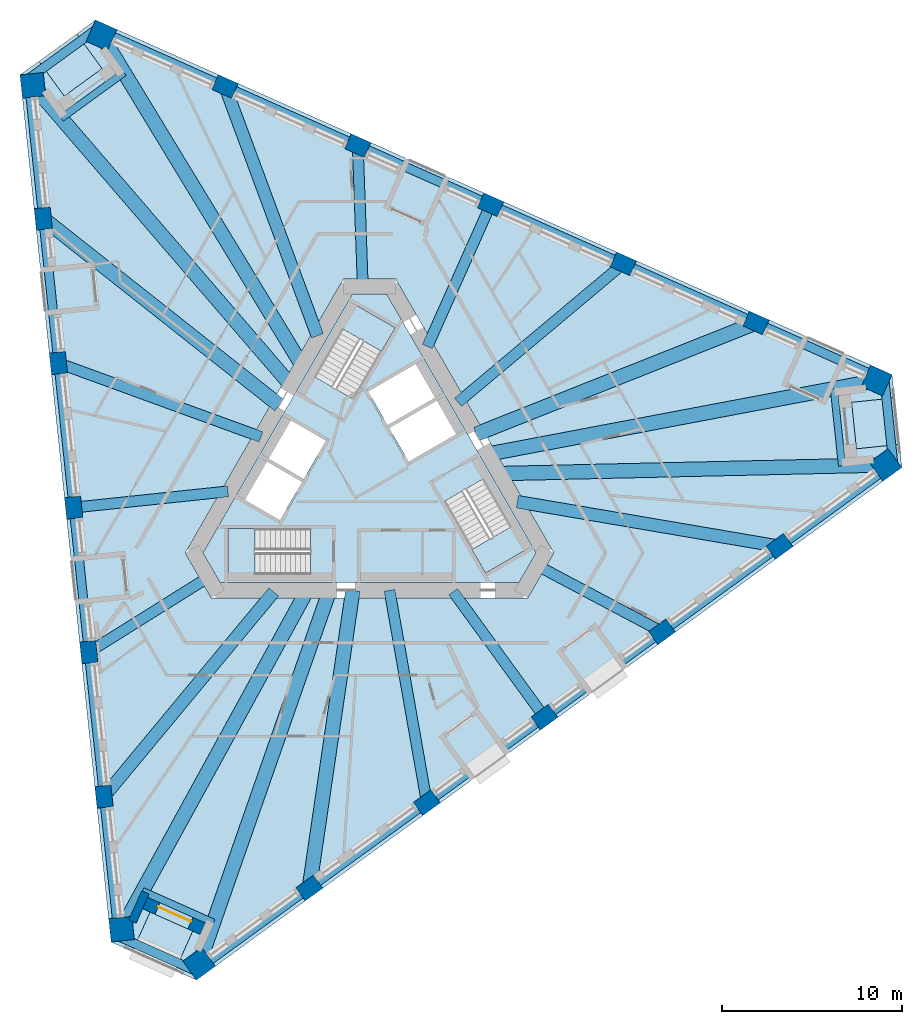
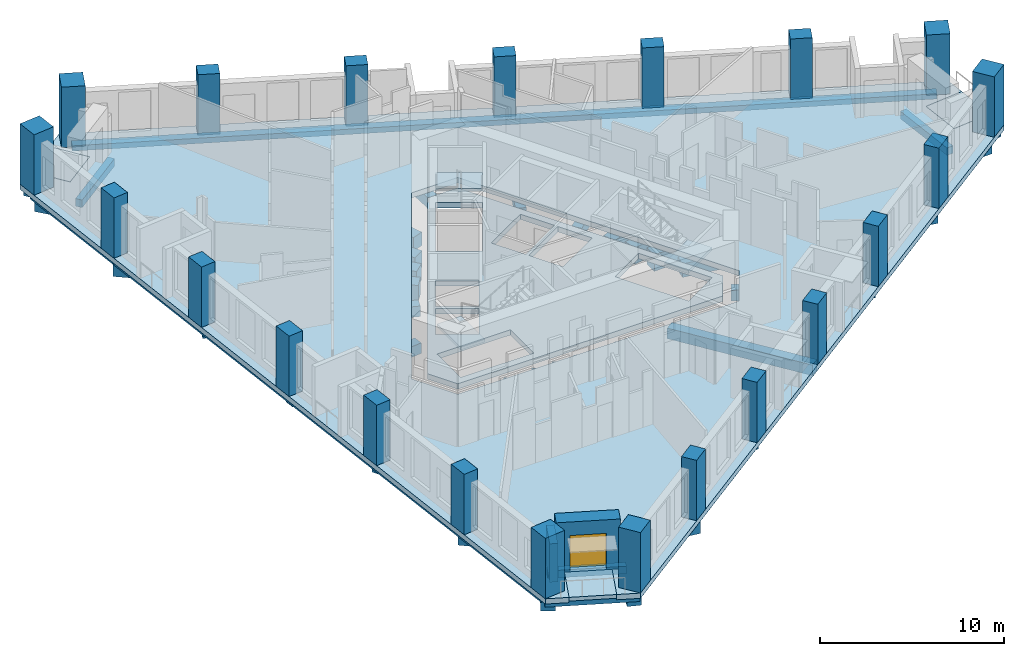
# One storey, part 1 of 14: 30 beams, 21 columns, 8 slabs, 2 walls, 1 door, 1 opening, 3 elements without a shape of their own.
"""IFC4 building model written with IfcOpenShell, lengths in metres."""

from ifc_helpers import new_model, si_unit, direction, frame, frame_2d, origin, origin_2d, place, context, subcontext, project, spatial, polyline, rectangle, outline, extrude, material, layer, layer_set, material_profile, profile_set, type_object, element, fill, aggregate, save


model = new_model("IFC4")

# Units and contexts
model_context = context("Model", 3, precision=1e-05, world=origin(), true_north=direction((0.0, 1.0)))
body_context = subcontext(model_context, "Body", "Model", "MODEL_VIEW")
ifc_project = project(units=[si_unit("LENGTHUNIT", "METRE"), si_unit("AREAUNIT", "SQUARE_METRE"), si_unit("VOLUMEUNIT", "CUBIC_METRE"), si_unit("PLANEANGLEUNIT", "RADIAN"), si_unit("MASSUNIT", "GRAM", prefix="KILO")], contexts=[model_context])

# Site, building, storey
site_placement = place(None, origin())
site = spatial("IfcSite", under=ifc_project, at=site_placement, CompositionType="ELEMENT")
building_placement = place(site_placement, origin())
building = spatial("IfcBuilding", under=site, at=building_placement, Name="Tramontana Tower", CompositionType="ELEMENT")
storey_placement = place(building_placement, frame((0.0, 0.0, 182.800048828125)))
storey = spatial("IfcBuildingStorey", under=building, at=storey_placement, Name="L42", CompositionType="ELEMENT", Elevation=182.800048828125)

# Columns
ifc_material_1 = material(Name="Concrete 55 MPa", Category="concrete")
ifc_material_profile_1 = material_profile(ifc_material_1, rectangle(XDim=1.300048828125, YDim=1.300048828125, at=origin_2d()), Name="Mega column 1300X1300 55 MPa")
ifc_profile_set_1 = profile_set([ifc_material_profile_1], Name="Concrete 55 MPa")
column_type_1 = type_object("IfcColumnType", Name="Mega column 1300X1300 55 MPa", PredefinedType="COLUMN", material=ifc_profile_set_1)
for number, where, z_axis, x_axis, name in (
    (1, (-18.72705078125, 21.760498046875, 0.0), (0.0, 0.0, 1.0), (0.104528463268, -0.994521895368, 0.0), "Mega column C4K1 L42"),
    (2, (-13.793701171875, -25.178466796875, 0.0), (0.0, 0.0, 1.0), (0.104528463268, -0.994521895368, 0.0), "Mega column C4K2 L42"),
    (3, (-9.4814453125, -27.098388671875, 0.0), (0.0, 0.0, 1.0), (0.809016994375, 0.587785252292, 0.0), "Mega column C4K3 L42"),
    (4, (28.7021484375, 0.6435546875, 0.0), (0.0, 0.0, 1.0), (0.809016994375, 0.587785252292, 0.0), "Mega column C4K4 L42"),
    (5, (28.208740234375, 5.337890625, 0.0), (0.0, 0.0, 1.0), (-0.913545457643, 0.406736643076, 0.0), "Mega column C4K5 L42"),
    (6, (-14.908447265625, 24.534912109375, 0.0), (0.0, 0.0, 1.0), (-0.913545457643, 0.406736643076, 0.0), "Mega column C4K6 L42"),
):
    element("IfcColumn", number, at=place(storey_placement, frame(where, z_axis=z_axis, x_axis=x_axis)), inside=storey, type_object=column_type_1, Name=name, PredefinedType="COLUMN", context=body_context, shape_type="SweptSolid", body=[
        extrude(rectangle(XDim=1.300048828125, YDim=1.300048828125, at=origin_2d()), origin(), (0.0, 0.0, 1.0), 4.0),
    ])
ifc_material_2 = material(Name="Concrete 55 MPa", Category="concrete")
ifc_material_profile_2 = material_profile(ifc_material_2, rectangle(XDim=1.199951171875, YDim=0.89990234375, at=origin_2d()), Name="Pier column 1200X900 55 MPa")
ifc_profile_set_2 = profile_set([ifc_material_profile_2], Name="Concrete 55 MPa")
column_type_2 = type_object("IfcColumnType", Name="Pier column 1200X900 55 MPa", PredefinedType="COLUMN", material=ifc_profile_set_2)
for number, where, z_axis, x_axis, name in (
    (7, (-18.149169921875, 14.347412109375, 0.0), (0.0, 0.0, 1.0), (0.104528463268, -0.994521895368, 0.0), "Pier column C4F01 L42"),
    (8, (-17.30419921875, 6.30859375, 0.0), (0.0, 0.0, 1.0), (0.104528463268, -0.994521895368, 0.0), "Pier column C4F02 L42"),
    (9, (-16.459228515625, -1.72998046875, 0.0), (0.0, 0.0, 1.0), (0.104528463268, -0.994521895368, 0.0), "Pier column C4F03 L42"),
    (10, (-15.614501953125, -9.7685546875, 0.0), (0.0, 0.0, 1.0), (0.104528463268, -0.994521895368, 0.0), "Pier column C4F04 L42"),
    (11, (-14.76953125, -17.80712890625, 0.0), (0.0, 0.0, 1.0), (0.104528463268, -0.994521895368, 0.0), "Pier column C4F05 L42"),
    (12, (-3.3505859375, -22.891357421875, 0.0), (0.0, 0.0, 1.0), (0.809016994375, 0.587785252292, 0.0), "Pier column C4F06 L42"),
    (13, (3.188720703125, -18.14013671875, 0.0), (0.0, 0.0, 1.0), (0.809016994375, 0.587785252292, 0.0), "Pier column C4F07 L42"),
    (14, (9.727783203125, -13.38916015625, 0.0), (0.0, 0.0, 1.0), (0.809016994375, 0.587785252292, 0.0), "Pier column C4F08 L42"),
    (15, (16.26708984375, -8.63818359375, 0.0), (0.0, 0.0, 1.0), (0.809016994375, 0.587785252292, 0.0), "Pier column C4F09 L42"),
    (16, (22.80615234375, -3.88720703125, 0.0), (0.0, 0.0, 1.0), (0.809016994375, 0.587785252292, 0.0), "Pier column C4F10 L42"),
    (17, (21.499755859375, 8.5439453125, 0.0), (0.0, 0.0, 1.0), (-0.913545457643, 0.406736643076, 0.0), "Pier column C4F11 L42"),
    (18, (14.115478515625, 11.83154296875, 0.0), (0.0, 0.0, 1.0), (-0.913545457643, 0.406736643076, 0.0), "Pier column C4F12 L42"),
    (19, (6.7314453125, 15.119140625, 0.0), (0.0, 0.0, 1.0), (-0.913545457643, 0.406736643076, 0.0), "Pier column C4F13 L42"),
    (20, (-0.652587890625, 18.40673828125, 0.0), (0.0, 0.0, 1.0), (-0.913545457643, 0.406736643076, 0.0), "Pier column C4F14 L42"),
    (21, (-8.03662109375, 21.6943359375, 0.0), (0.0, 0.0, 1.0), (-0.913545457643, 0.406736643076, 0.0), "Pier column C4F15 L42"),
):
    element("IfcColumn", number, at=place(storey_placement, frame(where, z_axis=z_axis, x_axis=x_axis)), inside=storey, type_object=column_type_2, Name=name, PredefinedType="COLUMN", context=body_context, shape_type="SweptSolid", body=[
        extrude(rectangle(XDim=1.199951171875, YDim=0.89990234375, at=origin_2d()), origin(), (0.0, 0.0, 1.0), 4.0),
    ])

# Beams
ifc_material_3 = material(Name="Concrete 40 MPa", Category="concrete")
ifc_material_profile_3 = material_profile(ifc_material_3, rectangle(XDim=0.5, YDim=0.35009765625, at=origin_2d()), Name="RC EDGE BEAM 500X350 40 MPa")
ifc_profile_set_3 = profile_set([ifc_material_profile_3], Name="Concrete 40 MPa")
beam_type_1 = type_object("IfcBeamType", Name="RC EDGE BEAM 500X350 40 MPa", PredefinedType="SPANDREL", material=ifc_profile_set_3)
for number, where, z_axis, x_axis, name in (
    (22, (-18.926025390625, 21.739501953125, -0.525146484375), (0.104525646884, -0.994522191378, 0.0), (0.994522191378, 0.104525646884, 0.0), "Spandrel beam S0 L42"),
    (23, (-9.364013671875, -27.26025390625, -0.525146484375), (0.809017612716, 0.587784401218, 0.0), (-0.587784401218, 0.809017612716, 0.0), "Spandrel beam S1 L42"),
):
    element("IfcBeam", number, at=place(storey_placement, frame(where, z_axis=z_axis, x_axis=x_axis)), inside=storey, type_object=beam_type_1, Name=name, PredefinedType="SPANDREL", context=body_context, shape_type="SweptSolid", body=[
        extrude(rectangle(XDim=0.5, YDim=0.35009765625, at=origin_2d()), origin(), (0.0, 0.0, 1.0), 47.197509765625),
    ])
beam_1_placement = place(storey_placement, frame((28.2900390625, 5.520751953125, -0.525146484375), z_axis=(-0.913546423332, 0.406734474095, 0.0), x_axis=(-0.406734474095, -0.913546423332, 0.0)))
element("IfcBeam", 24, at=beam_1_placement, inside=storey, type_object=beam_type_1, Name="Spandrel beam S2 L42", PredefinedType="SPANDREL", context=body_context, shape_type="SweptSolid", body=[
    extrude(rectangle(XDim=0.5, YDim=0.35009765625, at=origin_2d()), origin(), (0.0, 0.0, 1.0), 47.197265625),
])
beam_2_placement = place(storey_placement, frame((-14.973388671875, 25.029052734375, -0.525146484375), z_axis=(-0.809008263593, -0.587797268995, 0.0), x_axis=(0.587797268995, -0.809008263593, 0.0)))
element("IfcBeam", 25, at=beam_2_placement, inside=storey, type_object=beam_type_1, Name="Spandrel beam K0 L42", PredefinedType="SPANDREL", context=body_context, shape_type="SweptSolid", body=[
    extrude(rectangle(XDim=0.5, YDim=0.35009765625, at=origin_2d()), origin(), (0.0, 0.0, 1.0), 5.196044921875),
])
for number, where, z_axis, x_axis, name in (
    (26, (-14.189208984375, -25.481689453125, -0.525146484375), (0.91354592127, -0.40673560175, 0.0), (0.40673560175, 0.91354592127, 0.0), "Spandrel beam K1 L42"),
    (27, (29.162353515625, 0.45263671875, -0.525146484375), (-0.104494011766, 0.994525515764, 0.0), (-0.994525515764, -0.104494011766, 0.0), "Spandrel beam K2 L42"),
):
    element("IfcBeam", number, at=place(storey_placement, frame(where, z_axis=z_axis, x_axis=x_axis)), inside=storey, type_object=beam_type_1, Name=name, PredefinedType="SPANDREL", context=body_context, shape_type="SweptSolid", body=[
        extrude(rectangle(XDim=0.5, YDim=0.35009765625, at=origin_2d()), origin(), (0.0, 0.0, 1.0), 5.1962890625),
    ])
ifc_material_4 = material(Name="Concrete 40 MPa", Category="concrete")
ifc_material_profile_4 = material_profile(ifc_material_4, rectangle(XDim=0.60009765625, YDim=0.699951171875, at=origin_2d()), Name="RC GIRDER 600X700 40 MPa")
ifc_profile_set_4 = profile_set([ifc_material_profile_4], Name="Concrete 40 MPa")
beam_type_2 = type_object("IfcBeamType", Name="RC GIRDER 600X700 40 MPa", PredefinedType="BEAM", material=ifc_profile_set_4)
beam_3_placement = place(storey_placement, frame((-17.30419921875, 6.30859375, -0.699951171875), z_axis=(0.939513090247, -0.342512997205, 0.0), x_axis=(0.342512997205, 0.939513090247, 0.0)))
element("IfcBeam", 28, at=beam_3_placement, inside=storey, type_object=beam_type_2, Name="Radial girder C4F02 L42", PredefinedType="BEAM", context=body_context, shape_type="SweptSolid", body=[
    extrude(rectangle(XDim=0.60009765625, YDim=0.699951171875, at=origin_2d()), origin(), (0.0, 0.0, 1.0), 11.989990234375),
])
beam_4_placement = place(storey_placement, frame((-16.459228515625, -1.72998046875, -0.699951171875), z_axis=(0.994520630985, 0.104540492367, 0.0), x_axis=(-0.104540492367, 0.994520630985, 0.0)))
element("IfcBeam", 29, at=beam_4_placement, inside=storey, type_object=beam_type_2, Name="Radial girder C4F03 L42", PredefinedType="BEAM", context=body_context, shape_type="SweptSolid", body=[
    extrude(rectangle(XDim=0.60009765625, YDim=0.699951171875, at=origin_2d()), origin(), (0.0, 0.0, 1.0), 8.631591796875),
])
beam_5_placement = place(storey_placement, frame((-15.614501953125, -9.7685546875, -0.699951171875), z_axis=(0.847767192537, 0.530368539091, 0.0), x_axis=(-0.530368539091, 0.847767192537, 0.0)))
element("IfcBeam", 30, at=beam_5_placement, inside=storey, type_object=beam_type_2, Name="Radial girder C4F04 L42", PredefinedType="BEAM", context=body_context, shape_type="SweptSolid", body=[
    extrude(rectangle(XDim=0.60009765625, YDim=0.699951171875, at=origin_2d()), origin(), (0.0, 0.0, 1.0), 7.83642578125),
])
beam_6_placement = place(storey_placement, frame((3.188720703125, -18.14013671875, -0.699951171875), z_axis=(-0.173139447083, 0.984897320467, 0.0), x_axis=(-0.984897320467, -0.173139447083, 0.0)))
element("IfcBeam", 31, at=beam_6_placement, inside=storey, type_object=beam_type_2, Name="Radial girder C4F07 L42", PredefinedType="BEAM", context=body_context, shape_type="SweptSolid", body=[
    extrude(rectangle(XDim=0.60009765625, YDim=0.699951171875, at=origin_2d()), origin(), (0.0, 0.0, 1.0), 11.989990234375),
])
beam_7_placement = place(storey_placement, frame((9.727783203125, -13.38916015625, -0.699951171875), z_axis=(-0.587793224159, 0.809011202415, 0.0), x_axis=(-0.809011202415, -0.587793224159, 0.0)))
element("IfcBeam", 32, at=beam_7_placement, inside=storey, type_object=beam_type_2, Name="Radial girder C4F08 L42", PredefinedType="BEAM", context=body_context, shape_type="SweptSolid", body=[
    extrude(rectangle(XDim=0.60009765625, YDim=0.699951171875, at=origin_2d()), origin(), (0.0, 0.0, 1.0), 8.63134765625),
])
beam_8_placement = place(storey_placement, frame((16.26708984375, -8.63818359375, -0.699951171875), z_axis=(-0.883198396805, 0.468999564905, 0.0), x_axis=(-0.468999564905, -0.883198396805, 0.0)))
element("IfcBeam", 33, at=beam_8_placement, inside=storey, type_object=beam_type_2, Name="Radial girder C4F09 L42", PredefinedType="BEAM", context=body_context, shape_type="SweptSolid", body=[
    extrude(rectangle(XDim=0.60009765625, YDim=0.699951171875, at=origin_2d()), origin(), (0.0, 0.0, 1.0), 7.83642578125),
])
beam_9_placement = place(storey_placement, frame((14.115478515625, 11.83154296875, -0.699951171875), z_axis=(-0.766377147971, -0.642390898961, 0.0), x_axis=(0.642390898961, -0.766377147971, 0.0)))
element("IfcBeam", 34, at=beam_9_placement, inside=storey, type_object=beam_type_2, Name="Radial girder C4F12 L42", PredefinedType="BEAM", context=body_context, shape_type="SweptSolid", body=[
    extrude(rectangle(XDim=0.60009765625, YDim=0.699951171875, at=origin_2d()), origin(), (0.0, 0.0, 1.0), 11.98974609375),
])
beam_10_placement = place(storey_placement, frame((6.7314453125, 15.119140625, -0.699951171875), z_axis=(-0.406736735655, -0.913545416424, 0.0), x_axis=(0.913545416424, -0.406736735655, 0.0)))
element("IfcBeam", 35, at=beam_10_placement, inside=storey, type_object=beam_type_2, Name="Radial girder C4F13 L42", PredefinedType="BEAM", context=body_context, shape_type="SweptSolid", body=[
    extrude(rectangle(XDim=0.60009765625, YDim=0.699951171875, at=origin_2d()), origin(), (0.0, 0.0, 1.0), 8.631591796875),
])
beam_11_placement = place(storey_placement, frame((-0.652587890625, 18.40673828125, -0.699951171875), z_axis=(0.035422608777, -0.999372422467, 0.0), x_axis=(0.999372422467, 0.035422608777, 0.0)))
element("IfcBeam", 36, at=beam_11_placement, inside=storey, type_object=beam_type_2, Name="Radial girder C4F14 L42", PredefinedType="BEAM", context=body_context, shape_type="SweptSolid", body=[
    extrude(rectangle(XDim=0.60009765625, YDim=0.699951171875, at=origin_2d()), origin(), (0.0, 0.0, 1.0), 7.83642578125),
])
ifc_material_5 = material(Name="Concrete 40 MPa", Category="concrete")
ifc_material_profile_5 = material_profile(ifc_material_5, rectangle(XDim=0.699951171875, YDim=0.89990234375, at=origin_2d()), Name="RC GIRDER 700X900 40 MPa")
ifc_profile_set_5 = profile_set([ifc_material_profile_5], Name="Concrete 40 MPa")
beam_type_3 = type_object("IfcBeamType", Name="RC GIRDER 700X900 40 MPa", PredefinedType="BEAM", material=ifc_profile_set_5)
for number, where, z_axis, x_axis, name in (
    (37, (-14.76953125, -17.80712890625, -0.800048828125), (0.638406477844, 0.769699401745, 0.0), (-0.769699401745, 0.638406477844, 0.0), "Radial girder C4F05 L42"),
    (38, (22.806396484375, -3.88720703125, -0.800048828125), (-0.985783673381, 0.168019490821, 0.0), (-0.168019490821, -0.985783673381, 0.0), "Radial girder C4F10 L42"),
    (39, (-8.03662109375, 21.6943359375, -0.800048828125), (0.347381556139, -0.93772386898, 0.0), (0.93772386898, 0.347381556139, 0.0), "Radial girder C4F15 L42"),
):
    element("IfcBeam", number, at=place(storey_placement, frame(where, z_axis=z_axis, x_axis=x_axis)), inside=storey, type_object=beam_type_3, Name=name, PredefinedType="BEAM", context=body_context, shape_type="SweptSolid", body=[
        extrude(rectangle(XDim=0.699951171875, YDim=0.89990234375, at=origin_2d()), origin(), (0.0, 0.0, 1.0), 14.79052734375),
    ])
ifc_material_6 = material(Name="Concrete 40 MPa", Category="concrete")
ifc_material_profile_6 = material_profile(ifc_material_6, rectangle(XDim=0.800048828125, YDim=1.10009765625, at=origin_2d()), Name="RC GIRDER 800X1100 40 MPa")
ifc_profile_set_6 = profile_set([ifc_material_profile_6], Name="Concrete 40 MPa")
beam_type_4 = type_object("IfcBeamType", Name="RC GIRDER 800X1100 40 MPa", PredefinedType="BEAM", material=ifc_profile_set_6)
beam_12_placement = place(storey_placement, frame((-18.727294921875, 21.760498046875, -0.900146484375), z_axis=(0.652300085393, -0.757960816004, 0.0), x_axis=(0.757960816004, 0.652300085393, 0.0)))
element("IfcBeam", 40, at=beam_12_placement, inside=storey, type_object=beam_type_4, Name="Radial girder C4K1 L42", PredefinedType="BEAM", context=body_context, shape_type="SweptSolid", body=[
    extrude(rectangle(XDim=0.800048828125, YDim=1.10009765625, at=origin_2d()), origin(), (0.0, 0.0, 1.0), 21.983154296875),
])
beam_13_placement = place(storey_placement, frame((-18.149169921875, 14.347412109375, -0.900146484375), z_axis=(0.784478628915, -0.620155852005, 0.0), x_axis=(0.620155852005, 0.784478628915, 0.0)))
element("IfcBeam", 41, at=beam_13_placement, inside=storey, type_object=beam_type_4, Name="Radial girder C4F01 L42", PredefinedType="BEAM", context=body_context, shape_type="SweptSolid", body=[
    extrude(rectangle(XDim=0.800048828125, YDim=1.10009765625, at=origin_2d()), origin(), (0.0, 0.0, 1.0), 16.73828125),
])
beam_14_placement = place(storey_placement, frame((-13.793701171875, -25.178466796875, -0.900146484375), z_axis=(0.480462301802, 0.877015379881, 0.0), x_axis=(-0.877015379881, 0.480462301802, 0.0)))
element("IfcBeam", 42, at=beam_14_placement, inside=storey, type_object=beam_type_4, Name="Radial girder C4K2 L42", PredefinedType="BEAM", context=body_context, shape_type="SweptSolid", body=[
    extrude(rectangle(XDim=0.800048828125, YDim=1.10009765625, at=origin_2d()), origin(), (0.0, 0.0, 1.0), 21.437744140625),
])
beam_15_placement = place(storey_placement, frame((-9.4814453125, -27.098388671875, -0.900146484375), z_axis=(0.330256430983, 0.943891248924, 0.0), x_axis=(-0.943891248924, 0.330256430983, 0.0)))
element("IfcBeam", 43, at=beam_15_placement, inside=storey, type_object=beam_type_4, Name="Radial girder C4K3 L42", PredefinedType="BEAM", context=body_context, shape_type="SweptSolid", body=[
    extrude(rectangle(XDim=0.800048828125, YDim=1.10009765625, at=origin_2d()), origin(), (0.0, 0.0, 1.0), 21.98291015625),
])
beam_16_placement = place(storey_placement, frame((-3.3505859375, -22.891357421875, -0.900146484375), z_axis=(0.144822515675, 0.989457648893, 0.0), x_axis=(-0.989457648893, 0.144822515675, 0.0)))
element("IfcBeam", 44, at=beam_16_placement, inside=storey, type_object=beam_type_4, Name="Radial girder C4F06 L42", PredefinedType="BEAM", context=body_context, shape_type="SweptSolid", body=[
    extrude(rectangle(XDim=0.800048828125, YDim=1.10009765625, at=origin_2d()), origin(), (0.0, 0.0, 1.0), 16.73828125),
])
beam_17_placement = place(storey_placement, frame((28.701904296875, 0.6435546875, -0.900146484375), z_axis=(-0.999748807881, -0.022412521973, 0.0), x_axis=(0.022412521973, -0.999748807881, 0.0)))
element("IfcBeam", 45, at=beam_17_placement, inside=storey, type_object=beam_type_4, Name="Radial girder C4K4 L42", PredefinedType="BEAM", context=body_context, shape_type="SweptSolid", body=[
    extrude(rectangle(XDim=0.800048828125, YDim=1.10009765625, at=origin_2d()), origin(), (0.0, 0.0, 1.0), 21.4375),
])
beam_18_placement = place(storey_placement, frame((28.20849609375, 5.337890625, -0.900146484375), z_axis=(-0.982562021037, -0.185935136045, 0.0), x_axis=(0.185935136045, -0.982562021037, 0.0)))
element("IfcBeam", 46, at=beam_18_placement, inside=storey, type_object=beam_type_4, Name="Radial girder C4K5 L42", PredefinedType="BEAM", context=body_context, shape_type="SweptSolid", body=[
    extrude(rectangle(XDim=0.800048828125, YDim=1.10009765625, at=origin_2d()), origin(), (0.0, 0.0, 1.0), 21.98291015625),
])
beam_19_placement = place(storey_placement, frame((21.499755859375, 8.5439453125, -0.900146484375), z_axis=(-0.929307244414, -0.369307521558, 0.0), x_axis=(0.369307521558, -0.929307244414, 0.0)))
element("IfcBeam", 47, at=beam_19_placement, inside=storey, type_object=beam_type_4, Name="Radial girder C4F11 L42", PredefinedType="BEAM", context=body_context, shape_type="SweptSolid", body=[
    extrude(rectangle(XDim=0.800048828125, YDim=1.10009765625, at=origin_2d()), origin(), (0.0, 0.0, 1.0), 16.738525390625),
])
beam_20_placement = place(storey_placement, frame((-14.908447265625, 24.534912109375, -0.900146484375), z_axis=(0.519297566275, -0.854593492639, 0.0), x_axis=(0.854593492639, 0.519297566275, 0.0)))
element("IfcBeam", 48, at=beam_20_placement, inside=storey, type_object=beam_type_4, Name="Radial girder C4K6 L42", PredefinedType="BEAM", context=body_context, shape_type="SweptSolid", body=[
    extrude(rectangle(XDim=0.800048828125, YDim=1.10009765625, at=origin_2d()), origin(), (0.0, 0.0, 1.0), 21.437744140625),
])
ifc_material_7 = material(Name="Concrete 40 MPa", Category="concrete")
ifc_material_profile_7 = material_profile(ifc_material_7, rectangle(XDim=0.39990234375, YDim=0.5, at=origin_2d()), Name="RC TRIM BEAM 400X500 40 MPa")
ifc_profile_set_7 = profile_set([ifc_material_profile_7], Name="Concrete 40 MPa")
beam_type_5 = type_object("IfcBeamType", Name="RC TRIM BEAM 400X500 40 MPa", PredefinedType="JOIST", material=ifc_profile_set_7)
for number, where, z_axis, x_axis, name in (
    (49, (-13.651611328125, 22.466552734375, -0.60009765625), (-0.808997350037, -0.587812289453, 0.0), (0.587812289453, -0.808997350037, 0.0), "Trimmer beam K0 L42"),
    (50, (-12.630859375, -23.055908203125, -0.60009765625), (0.913548159873, -0.406730573714, 0.0), (0.406730573714, 0.913548159873, 0.0), "Trimmer beam K1 L42"),
):
    element("IfcBeam", number, at=place(storey_placement, frame(where, z_axis=z_axis, x_axis=x_axis)), inside=storey, type_object=beam_type_5, Name=name, PredefinedType="JOIST", context=body_context, shape_type="SweptSolid", body=[
        extrude(rectangle(XDim=0.39990234375, YDim=0.5, at=origin_2d()), origin(), (0.0, 0.0, 1.0), 4.322509765625),
    ])
beam_21_placement = place(storey_placement, frame((26.282470703125, 0.58935546875, -0.60009765625), z_axis=(-0.104552471013, 0.99451937176, 0.0), x_axis=(-0.99451937176, -0.104552471013, 0.0)))
element("IfcBeam", 51, at=beam_21_placement, inside=storey, type_object=beam_type_5, Name="Trimmer beam K2 L42", PredefinedType="JOIST", context=body_context, shape_type="SweptSolid", body=[
    extrude(rectangle(XDim=0.39990234375, YDim=0.5, at=origin_2d()), origin(), (0.0, 0.0, 1.0), 4.322265625),
])

# Slabs
ifc_material_8 = material(Name="Precast concrete 50 MPa", Category="concrete")
ifc_layer_1 = layer(ifc_material_8, 0.25)
ifc_layer_set_1 = layer_set([ifc_layer_1], Name="LT1 Loggia floor tray 250")
slab_type_1 = type_object("IfcSlabType", Name="LT1 Loggia floor tray 250", PredefinedType="FLOOR", material=ifc_layer_set_1)
slab_1_placement = place(storey_placement, frame((0.0, 0.0, -0.25)))
element("IfcSlab", 52, at=slab_1_placement, inside=storey, type_object=slab_type_1, Name="Corner loggia floor L42 K40", PredefinedType="FLOOR", context=body_context, shape_type="SweptSolid", body=[
    extrude(outline(polyline([(-16.287841796875, 24.630126953125), (-14.877197265625, 22.6884765625), (-16.980712890625, 21.16015625), (-18.391357421875, 23.101806640625), (-16.287841796875, 24.630126953125)])), origin(), (0.0, 0.0, 1.0), 0.25),
])
slab_2_placement = place(storey_placement, frame((0.0, 0.0, -0.25)))
element("IfcSlab", 53, at=slab_2_placement, inside=storey, type_object=slab_type_1, Name="Corner loggia floor L42 K41", PredefinedType="FLOOR", context=body_context, shape_type="SweptSolid", body=[
    extrude(outline(polyline([(-13.186279296875, -26.4208984375), (-12.210205078125, -24.228271484375), (-9.8349609375, -25.285888671875), (-10.81103515625, -27.478271484375), (-13.186279296875, -26.4208984375)])), origin(), (0.0, 0.0, 1.0), 0.25),
])
slab_3_placement = place(storey_placement, frame((0.0, 0.0, -0.25)))
element("IfcSlab", 54, at=slab_3_placement, inside=storey, type_object=slab_type_1, Name="Corner loggia floor L42 K42", PredefinedType="FLOOR", context=body_context, shape_type="SweptSolid", body=[
    extrude(outline(polyline([(29.474365234375, 1.790771484375), (27.08740234375, 1.539794921875), (26.815673828125, 4.12548828125), (29.202392578125, 4.37646484375), (29.474365234375, 1.790771484375)])), origin(), (0.0, 0.0, 1.0), 0.25),
])
ifc_material_9 = material(Name="Concrete 40 MPa", Category="concrete")
ifc_layer_2 = layer(ifc_material_9, 0.35009765625)
ifc_layer_set_2 = layer_set([ifc_layer_2], Name="PT FLAT SLAB 350 40 MPa")
slab_type_2 = type_object("IfcSlabType", Name="PT FLAT SLAB 350 40 MPa", PredefinedType="FLOOR", material=ifc_layer_set_2)
slab_4_placement = place(storey_placement, frame((0.0, 0.0, -0.35009765625)))
element("IfcSlab", 55, at=slab_4_placement, inside=storey, type_object=slab_type_2, Name="Floor slab L42", PredefinedType="FLOOR", context=body_context, shape_type="SweptSolid", body=[
    extrude(outline(polyline([(29.202392578125, 4.37646484375), (26.815673828125, 4.12548828125), (27.08740234375, 1.539794921875), (29.474365234375, 1.790771484375), (29.610107421875, 0.499755859375), (-9.625244140625, -28.00634765625), (-10.81103515625, -27.478271484375), (-9.8349609375, -25.285888671875), (-12.210205078125, -24.228271484375), (-13.186279296875, -26.4208984375), (-14.372314453125, -25.892822265625), (-19.441650390625, 22.3388671875), (-18.391357421875, 23.101806640625), (-16.980712890625, 21.16015625), (-14.877197265625, 22.6884765625), (-16.287841796875, 24.630126953125), (-15.23779296875, 25.39306640625), (29.06689453125, 5.66748046875), (29.202392578125, 4.37646484375)]), holes=[polyline([(-10.248046875, -4.25), (-8.8046875, -6.75), (8.8046875, -6.75), (10.248046875, -4.25), (1.443359375, 11.0), (-1.443359375, 11.0), (-10.248046875, -4.25)])]), origin(), (0.0, 0.0, 1.0), 0.35009765625),
])
slab_5_placement = place(storey_placement, frame((0.0, 0.0, -0.35009765625)))
element("IfcSlab", 56, at=slab_5_placement, inside=storey, type_object=slab_type_2, Name="Core floor slab L42", PredefinedType="FLOOR", context=body_context, shape_type="SweptSolid", body=[
    extrude(outline(polyline([(9.2666015625, -4.25), (8.313720703125, -5.89990234375), (-8.313720703125, -5.89990234375), (-9.2666015625, -4.25), (-0.95263671875, 10.14990234375), (0.95263671875, 10.14990234375), (9.2666015625, -4.25)]), holes=[polyline([(8.659912109375, -4.099365234375), (6.35986328125, -0.115478515625), (4.151611328125, -1.390625), (6.451416015625, -5.374267578125), (8.659912109375, -4.099365234375)]), polyline([(3.829833984375, 4.2666015625), (1.101806640625, 2.69140625), (2.177001953125, 0.82958984375), (4.90478515625, 2.404541015625), (3.829833984375, 4.2666015625)]), polyline([(2.65478515625, 6.3017578125), (-0.072998046875, 4.726806640625), (1.001953125, 2.86474609375), (3.729736328125, 4.439697265625), (2.65478515625, 6.3017578125)]), polyline([(-0.77978515625, 9.54931640625), (-3.079833984375, 5.565673828125), (-0.87158203125, 4.29052734375), (1.428466796875, 8.2744140625), (-0.77978515625, 9.54931640625)]), polyline([(-5.689697265625, 1.044921875), (-3.65478515625, -0.130126953125), (-2.4296875, 1.99169921875), (-4.46484375, 3.166748046875), (-5.689697265625, 1.044921875)]), polyline([(-3.280029296875, -5.449951171875), (-3.280029296875, -2.89990234375), (-7.8798828125, -2.89990234375), (-7.8798828125, -5.449951171875), (-3.280029296875, -5.449951171875)]), polyline([(-7.014892578125, -1.25), (-4.979736328125, -2.425048828125), (-3.754638671875, -0.30322265625), (-5.789794921875, 0.87158203125), (-7.014892578125, -1.25)])]), origin(), (0.0, 0.0, 1.0), 0.35009765625),
])

# Stair, slab
ifc_material_10 = material(Name="Concrete 40 MPa", Category="concrete")
stair_type = type_object("IfcStairType", Name="EXIT STAIR 24 RISERS", PredefinedType="HALF_TURN_STAIR", material=ifc_material_10)
stair_1_placement = place(storey_placement, origin())
stair_1 = element("IfcStair", 57, at=stair_1_placement, inside=storey, type_object=stair_type, Name="L42 Exit stair ST1", PredefinedType="HALF_TURN_STAIR")
ifc_material_11 = material(Name="Concrete 40 MPa", Category="concrete")
ifc_layer_3 = layer(ifc_material_11, 0.199951171875)
ifc_layer_set_3 = layer_set([ifc_layer_3], Name="STAIR LANDING 200")
slab_type_3 = type_object("IfcSlabType", Name="STAIR LANDING 200", PredefinedType="LANDING", material=ifc_layer_set_3)
slab_6_placement = place(storey_placement, frame((0.0, 0.0, 1.800048828125)))
slab_6 = element("IfcSlab", 58, at=slab_6_placement, type_object=slab_type_3, Name="ST1 landing 1", PredefinedType="LANDING", context=body_context, shape_type="SweptSolid", body=[
    extrude(outline(polyline([(0.66845703125, 6.9580078125), (1.428466796875, 8.274169921875), (-0.77978515625, 9.54931640625), (-1.539794921875, 8.23291015625), (0.66845703125, 6.9580078125)])), origin(), (0.0, 0.0, 1.0), 0.199951171875),
])
aggregate(stair_1, [slab_6])

stair_2_placement = place(storey_placement, origin())
stair_2 = element("IfcStair", 59, at=stair_2_placement, inside=storey, type_object=stair_type, Name="L42 Exit stair ST2", PredefinedType="HALF_TURN_STAIR")
slab_7_placement = place(storey_placement, frame((0.0, 0.0, 1.800048828125)))
slab_7 = element("IfcSlab", 60, at=slab_7_placement, type_object=slab_type_3, Name="ST2 landing 1", PredefinedType="LANDING", context=body_context, shape_type="SweptSolid", body=[
    extrude(outline(polyline([(-6.360107421875, -2.89990234375), (-7.8798828125, -2.89990234375), (-7.8798828125, -5.449951171875), (-6.360107421875, -5.449951171875), (-6.360107421875, -2.89990234375)])), origin(), (0.0, 0.0, 1.0), 0.199951171875),
])
aggregate(stair_2, [slab_7])

stair_3_placement = place(storey_placement, origin())
stair_3 = element("IfcStair", 61, at=stair_3_placement, inside=storey, type_object=stair_type, Name="L42 Exit stair ST3", PredefinedType="HALF_TURN_STAIR")
slab_8_placement = place(storey_placement, frame((0.0, 0.0, 1.800048828125)))
slab_8 = element("IfcSlab", 62, at=slab_8_placement, type_object=slab_type_3, Name="ST3 landing 1", PredefinedType="LANDING", context=body_context, shape_type="SweptSolid", body=[
    extrude(outline(polyline([(5.69140625, -4.057861328125), (6.451416015625, -5.374267578125), (8.659912109375, -4.099365234375), (7.89990234375, -2.782958984375), (5.69140625, -4.057861328125)])), origin(), (0.0, 0.0, 1.0), 0.199951171875),
])
aggregate(stair_3, [slab_8])

# Wall
ifc_material_12 = material(Name="Precast concrete 60 MPa", Category="concrete")
ifc_layer_4 = layer(ifc_material_12, 0.449951171875)
ifc_layer_set_4 = layer_set([ifc_layer_4], Name="Precast concrete 60 MPa, 450 mm")
wall_type_1 = type_object("IfcWallType", Name="EW1 Stone-faced precast wall 450", PredefinedType="SOLIDWALL", material=ifc_layer_set_4)
wall_1_placement = place(storey_placement, frame((-13.184326171875, -24.757080078125, 0.0), z_axis=(0.0, 0.0, 1.0), x_axis=(0.406698557215, 0.913562413609, 0.0)))
element("IfcWall", 63, at=wall_1_placement, inside=storey, type_object=wall_type_1, Name="Corner loggia side wall L42 K41r", PredefinedType="SOLIDWALL", context=body_context, shape_type="SweptSolid", body=[
    extrude(rectangle(XDim=1.779296875, YDim=0.449951171875, at=frame_2d((0.8896484375, 0.0))), origin(), (0.0, 0.0, 1.0), 2.550048828125),
])

# Wall, opening, door
ifc_material_13 = material(Name="Precast concrete 60 MPa", Category="concrete")
ifc_layer_5 = layer(ifc_material_13, 0.89990234375)
ifc_layer_set_5 = layer_set([ifc_layer_5], Name="EW2 Stone-faced corner loggia wall 900")
wall_type_2 = type_object("IfcWallType", Name="EW2 Stone-faced corner loggia wall 900", PredefinedType="SOLIDWALL", material=ifc_layer_set_5)
wall_2_placement = place(storey_placement, frame((-9.24072265625, -25.057861328125, 0.0), z_axis=(0.0, 0.0, 1.0), x_axis=(-0.913549606868, 0.406727323635, 0.0)))
wall_2 = element("IfcWall", 64, at=wall_2_placement, inside=storey, type_object=wall_type_2, Name="Corner loggia wall L42 K41", PredefinedType="SOLIDWALL", context=body_context, shape_type="SweptSolid", body=[
    extrude(rectangle(XDim=3.5, YDim=0.89990234375, at=frame_2d((1.75, 0.0))), origin(), (0.0, 0.0, 1.0), 3.300048828125),
])
opening_placement = place(wall_2_placement, frame((0.75, 0.0, 0.0)))
opening = element("IfcOpeningElement", 65, at=opening_placement, cuts=wall_2, Name="Opening BD-41C", PredefinedType="OPENING", context=body_context, shape_type="SweptSolid", body=[
    extrude(rectangle(XDim=2.0, YDim=2.39990234375, at=frame_2d((1.0, 1.199951171875))), frame((0.0, 0.4599609375, 0.0), z_axis=(0.0, -1.0, 0.0), x_axis=(1.0, 0.0, 0.0)), (0.0, 0.0, 1.0), 0.919921875),
])
ifc_material_14 = material(Name="Aluminum frame, double glazing unit", Category="aluminium")
door_type = type_object("IfcDoorType", Name="BC1 Sliding door 2 x 2.4", OperationType="SLIDING_TO_LEFT", PredefinedType="DOOR", material=ifc_material_14)
door_placement = place(opening_placement, origin())
door = element("IfcDoor", 66, at=door_placement, inside=storey, type_object=door_type, Name="Corner loggia door L42 K41", OperationType="SLIDING_TO_LEFT", OverallHeight=2.39990234375, OverallWidth=2.0, PredefinedType="DOOR", context=body_context, shape_type="SweptSolid", body=[
    extrude(rectangle(XDim=2.0, YDim=2.39990234375, at=frame_2d((1.0, 1.199951171875))), frame((0.0, 0.02490234375, 0.0), z_axis=(0.0, -1.0, 0.0), x_axis=(1.0, 0.0, 0.0)), (0.0, 0.0, 1.0), 0.050048828125),
])
fill(opening, door)

save(model, "model.ifc")
